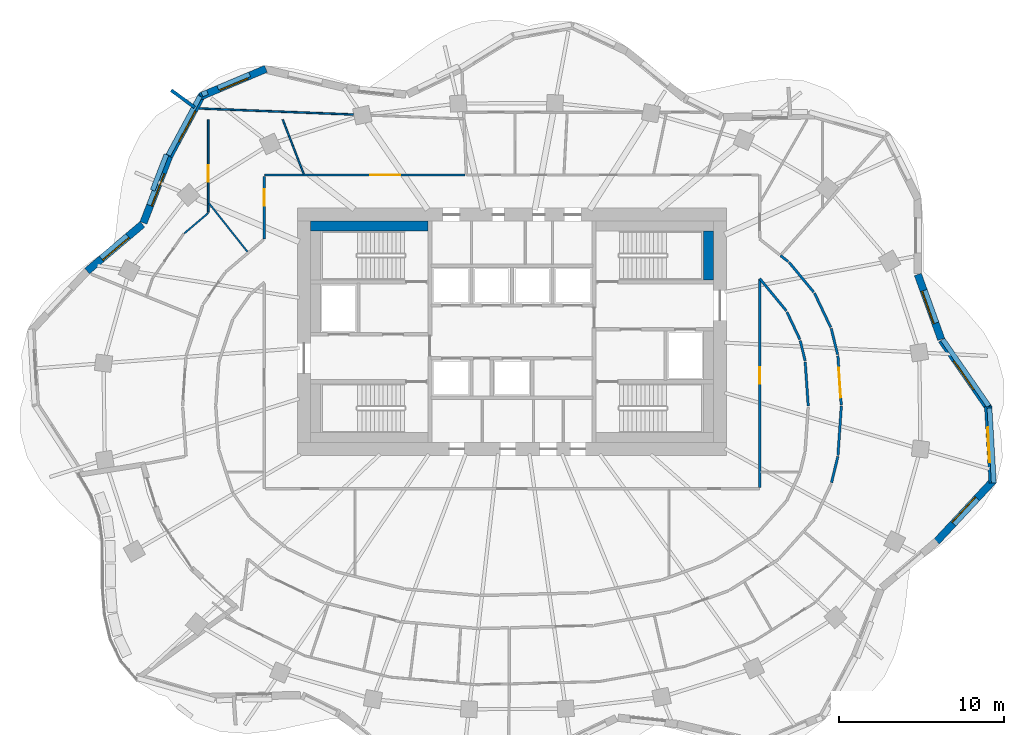
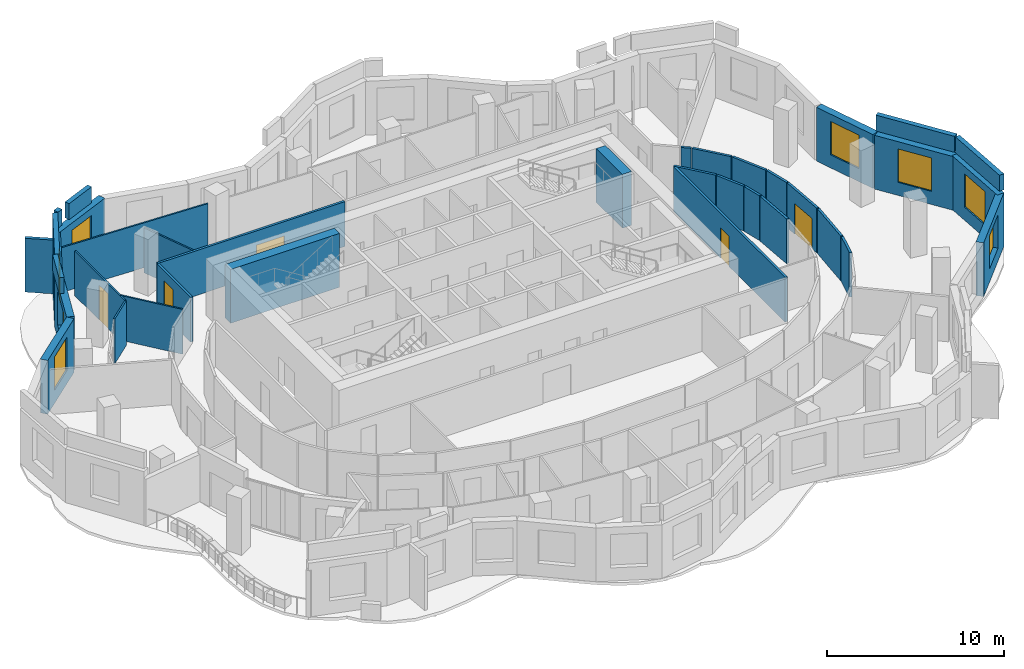
# One storey, part 9 of 13: 36 walls, 8 windows, 5 doors, 13 openings.
"""IFC4 building model written with IfcOpenShell, lengths in metres."""

from ifc_helpers import new_model, si_unit, direction, frame, frame_2d, origin, place, context, subcontext, project, spatial, rectangle, extrude, material, layer, layer_set, type_object, element, fill, save


model = new_model("IFC4")

# Units and contexts
model_context = context("Model", 3, precision=1e-05, world=origin(), true_north=direction((0.0, 1.0)))
body_context = subcontext(model_context, "Body", "Model", "MODEL_VIEW")
ifc_project = project(units=[si_unit("LENGTHUNIT", "METRE"), si_unit("AREAUNIT", "SQUARE_METRE"), si_unit("VOLUMEUNIT", "CUBIC_METRE"), si_unit("PLANEANGLEUNIT", "RADIAN"), si_unit("MASSUNIT", "GRAM", prefix="KILO")], contexts=[model_context])

# Site, building, storey
site_placement = place(None, origin())
site = spatial("IfcSite", under=ifc_project, at=site_placement, CompositionType="ELEMENT")
building_placement = place(site_placement, origin())
building = spatial("IfcBuilding", under=site, at=building_placement, Name="Rubra Terraces Tower", CompositionType="ELEMENT")
storey_placement = place(building_placement, frame((0.0, 0.0, 233.10009765625)))
storey = spatial("IfcBuildingStorey", under=building, at=storey_placement, Name="L57", CompositionType="ELEMENT", Elevation=233.10009765625)

# Wall, opening, window
ifc_material_1 = material(Name="Brick masonry red-brown", Category="masonry")
ifc_layer_1 = layer(ifc_material_1, 0.449951171875)
ifc_layer_set_1 = layer_set([ifc_layer_1], Name="Brick masonry red-brown")
wall_type_1 = type_object("IfcWallType", Name="Brick facade wall 450", PredefinedType="SOLIDWALL", material=ifc_layer_set_1)
wall_1_placement = place(storey_placement, frame((28.87841796875, -0.122802734375, 0.0), z_axis=(0.0, 0.0, 1.0), x_axis=(-0.569394732999, 0.8220642542, 0.0)))
wall_1 = element("IfcWall", 1, at=wall_1_placement, inside=storey, type_object=wall_type_1, Name="Facade wall L57 bay 1", PredefinedType="SOLIDWALL", context=body_context, shape_type="SweptSolid", body=[
    extrude(rectangle(XDim=5.015869140625, YDim=0.449951171875, at=frame_2d((2.5078125, 0.0))), origin(), (0.0, 0.0, 1.0), 3.699951171875),
])
opening_1_placement = place(wall_1_placement, frame((1.4580078125, 0.0, 0.89990234375)))
opening_1 = element("IfcOpeningElement", 2, at=opening_1_placement, cuts=wall_1, Name="Opening W1B", PredefinedType="OPENING", context=body_context, shape_type="SweptSolid", body=[
    extrude(rectangle(XDim=2.10009765625, YDim=2.300048828125, at=frame_2d((1.050048828125, 1.14990234375))), frame((0.0, 0.23486328125, 0.0), z_axis=(0.0, -1.0, 0.0), x_axis=(1.0, 0.0, 0.0)), (0.0, 0.0, 1.0), 0.469970703125),
])
ifc_material_2 = material(Name="Clear glass in aluminium frame", Category="aluminium")
window_type_1 = type_object("IfcWindowType", Name="Fixed deep-set window tall storey 2100 x 2300", PartitioningType="SINGLE_PANEL", PredefinedType="WINDOW", material=ifc_material_2)
window_1_placement = place(opening_1_placement, origin())
window_1 = element("IfcWindow", 3, at=window_1_placement, inside=storey, type_object=window_type_1, Name="Window L57 bay 1", OverallHeight=2.300048828125, OverallWidth=2.10009765625, PartitioningType="SINGLE_PANEL", PredefinedType="WINDOW", context=body_context, shape_type="SweptSolid", body=[
    extrude(rectangle(XDim=2.10009765625, YDim=2.300048828125, at=frame_2d((1.050048828125, 1.14990234375))), frame((0.0, 0.135009765625, 0.0), z_axis=(0.0, -1.0, 0.0), x_axis=(1.0, 0.0, 0.0)), (0.0, 0.0, 1.0), 0.06005859375),
])
fill(opening_1, window_1)

wall_2_placement = place(storey_placement, frame((25.99951171875, 4.047119140625, 0.0), z_axis=(0.0, 0.0, 1.0), x_axis=(-0.338924456066, 0.940813591037, 0.0)))
wall_2 = element("IfcWall", 4, at=wall_2_placement, inside=storey, type_object=wall_type_1, Name="Facade wall L57 bay 2", PredefinedType="SOLIDWALL", context=body_context, shape_type="SweptSolid", body=[
    extrude(rectangle(XDim=4.175048828125, YDim=0.449951171875, at=frame_2d((2.08740234375, 0.0))), origin(), (0.0, 0.0, 1.0), 3.699951171875),
])
opening_2_placement = place(wall_2_placement, frame((1.03759765625, 0.0, 0.89990234375)))
opening_2 = element("IfcOpeningElement", 5, at=opening_2_placement, cuts=wall_2, Name="Opening W1B", PredefinedType="OPENING", context=body_context, shape_type="SweptSolid", body=[
    extrude(rectangle(XDim=2.10009765625, YDim=2.300048828125, at=frame_2d((1.050048828125, 1.14990234375))), frame((0.0, 0.23486328125, 0.0), z_axis=(0.0, -1.0, 0.0), x_axis=(1.0, 0.0, 0.0)), (0.0, 0.0, 1.0), 0.469970703125),
])
window_2_placement = place(opening_2_placement, origin())
window_2 = element("IfcWindow", 6, at=window_2_placement, inside=storey, type_object=window_type_1, Name="Window L57 bay 2", OverallHeight=2.300048828125, OverallWidth=2.10009765625, PartitioningType="SINGLE_PANEL", PredefinedType="WINDOW", context=body_context, shape_type="SweptSolid", body=[
    extrude(rectangle(XDim=2.10009765625, YDim=2.300048828125, at=frame_2d((1.050048828125, 1.14990234375))), frame((0.0, 0.135009765625, 0.0), z_axis=(0.0, -1.0, 0.0), x_axis=(1.0, 0.0, 0.0)), (0.0, 0.0, 1.0), 0.06005859375),
])
fill(opening_2, window_2)

wall_3_placement = place(storey_placement, frame((-14.906494140625, 20.4306640625, 0.0), z_axis=(0.0, 0.0, 1.0), x_axis=(-0.921435803521, -0.388530642279, 0.0)))
wall_3 = element("IfcWall", 7, at=wall_3_placement, inside=storey, type_object=wall_type_1, Name="Facade wall L57 bay 15", PredefinedType="SOLIDWALL", context=body_context, shape_type="SweptSolid", body=[
    extrude(rectangle(XDim=4.308837890625, YDim=0.449951171875, at=frame_2d((2.154296875, 0.0))), origin(), (0.0, 0.0, 1.0), 3.699951171875),
])
opening_3_placement = place(wall_3_placement, frame((1.25439453125, 0.0, 0.89990234375)))
opening_3 = element("IfcOpeningElement", 8, at=opening_3_placement, cuts=wall_3, Name="Opening W6B", PredefinedType="OPENING", context=body_context, shape_type="SweptSolid", body=[
    extrude(rectangle(XDim=1.800048828125, YDim=2.300048828125, at=frame_2d((0.89990234375, 1.14990234375))), frame((0.0, 0.23486328125, 0.0), z_axis=(0.0, -1.0, 0.0), x_axis=(1.0, 0.0, 0.0)), (0.0, 0.0, 1.0), 0.469970703125),
])
window_type_2 = type_object("IfcWindowType", Name="Fixed deep-set window at wind fin tall storey 1800 x 2300", PartitioningType="SINGLE_PANEL", PredefinedType="WINDOW", material=ifc_material_2)
window_3_placement = place(opening_3_placement, origin())
window_3 = element("IfcWindow", 9, at=window_3_placement, inside=storey, type_object=window_type_2, Name="Window L57 bay 15", OverallHeight=2.300048828125, OverallWidth=1.800048828125, PartitioningType="SINGLE_PANEL", PredefinedType="WINDOW", context=body_context, shape_type="SweptSolid", body=[
    extrude(rectangle(XDim=1.800048828125, YDim=2.300048828125, at=frame_2d((0.89990234375, 1.14990234375))), frame((0.0, 0.135009765625, 0.0), z_axis=(0.0, -1.0, 0.0), x_axis=(1.0, 0.0, 0.0)), (0.0, 0.0, 1.0), 0.06005859375),
])
fill(opening_3, window_3)

wall_4_placement = place(storey_placement, frame((-18.767333984375, 18.8544921875, 0.0), z_axis=(0.0, 0.0, 1.0), x_axis=(-0.474475888716, -0.880268499395, 0.0)))
wall_4 = element("IfcWall", 10, at=wall_4_placement, inside=storey, type_object=wall_type_1, Name="Facade wall L57 bay 16", PredefinedType="SOLIDWALL", context=body_context, shape_type="SweptSolid", body=[
    extrude(rectangle(XDim=4.21923828125, YDim=0.449951171875, at=frame_2d((2.109619140625, 0.0))), origin(), (0.0, 0.0, 1.0), 3.699951171875),
])
opening_4_placement = place(wall_4_placement, frame((1.059814453125, 0.0, 0.89990234375)))
opening_4 = element("IfcOpeningElement", 11, at=opening_4_placement, cuts=wall_4, Name="Opening W1B", PredefinedType="OPENING", context=body_context, shape_type="SweptSolid", body=[
    extrude(rectangle(XDim=2.10009765625, YDim=2.300048828125, at=frame_2d((1.050048828125, 1.14990234375))), frame((0.0, 0.23486328125, 0.0), z_axis=(0.0, -1.0, 0.0), x_axis=(1.0, 0.0, 0.0)), (0.0, 0.0, 1.0), 0.469970703125),
])
window_4_placement = place(opening_4_placement, origin())
window_4 = element("IfcWindow", 12, at=window_4_placement, inside=storey, type_object=window_type_1, Name="Window L57 bay 16", OverallHeight=2.300048828125, OverallWidth=2.10009765625, PartitioningType="SINGLE_PANEL", PredefinedType="WINDOW", context=body_context, shape_type="SweptSolid", body=[
    extrude(rectangle(XDim=2.10009765625, YDim=2.300048828125, at=frame_2d((1.050048828125, 1.14990234375))), frame((0.0, 0.135009765625, 0.0), z_axis=(0.0, -1.0, 0.0), x_axis=(1.0, 0.0, 0.0)), (0.0, 0.0, 1.0), 0.06005859375),
])
fill(opening_4, window_4)

wall_5_placement = place(storey_placement, frame((-20.757080078125, 15.166015625, 0.0), z_axis=(0.0, 0.0, 1.0), x_axis=(-0.360067043581, -0.932926430179, 0.0)))
wall_5 = element("IfcWall", 13, at=wall_5_placement, inside=storey, type_object=wall_type_1, Name="Facade wall L57 bay 17", PredefinedType="SOLIDWALL", context=body_context, shape_type="SweptSolid", body=[
    extrude(rectangle(XDim=4.35986328125, YDim=0.449951171875, at=frame_2d((2.179931640625, 0.0))), origin(), (0.0, 0.0, 1.0), 3.699951171875),
])
opening_5_placement = place(wall_5_placement, frame((1.1298828125, 0.0, 0.89990234375)))
opening_5 = element("IfcOpeningElement", 14, at=opening_5_placement, cuts=wall_5, Name="Opening W1B", PredefinedType="OPENING", context=body_context, shape_type="SweptSolid", body=[
    extrude(rectangle(XDim=2.10009765625, YDim=2.300048828125, at=frame_2d((1.050048828125, 1.14990234375))), frame((0.0, 0.23486328125, 0.0), z_axis=(0.0, -1.0, 0.0), x_axis=(1.0, 0.0, 0.0)), (0.0, 0.0, 1.0), 0.469970703125),
])
window_5_placement = place(opening_5_placement, origin())
window_5 = element("IfcWindow", 15, at=window_5_placement, inside=storey, type_object=window_type_1, Name="Window L57 bay 17", OverallHeight=2.300048828125, OverallWidth=2.10009765625, PartitioningType="SINGLE_PANEL", PredefinedType="WINDOW", context=body_context, shape_type="SweptSolid", body=[
    extrude(rectangle(XDim=2.10009765625, YDim=2.300048828125, at=frame_2d((1.050048828125, 1.14990234375))), frame((0.0, 0.135009765625, 0.0), z_axis=(0.0, -1.0, 0.0), x_axis=(1.0, 0.0, 0.0)), (0.0, 0.0, 1.0), 0.06005859375),
])
fill(opening_5, window_5)

wall_6_placement = place(storey_placement, frame((-22.385986328125, 11.014404296875, 0.0), z_axis=(0.0, 0.0, 1.0), x_axis=(-0.763569952162, -0.645725118108, 0.0)))
wall_6 = element("IfcWall", 16, at=wall_6_placement, inside=storey, type_object=wall_type_1, Name="Facade wall L57 bay 18", PredefinedType="SOLIDWALL", context=body_context, shape_type="SweptSolid", body=[
    extrude(rectangle(XDim=4.3857421875, YDim=0.449951171875, at=frame_2d((2.19287109375, 0.0))), origin(), (0.0, 0.0, 1.0), 3.699951171875),
])
opening_6_placement = place(wall_6_placement, frame((1.14306640625, 0.0, 0.89990234375)))
opening_6 = element("IfcOpeningElement", 17, at=opening_6_placement, cuts=wall_6, Name="Opening W1B", PredefinedType="OPENING", context=body_context, shape_type="SweptSolid", body=[
    extrude(rectangle(XDim=2.10009765625, YDim=2.300048828125, at=frame_2d((1.050048828125, 1.14990234375))), frame((0.0, 0.23486328125, 0.0), z_axis=(0.0, -1.0, 0.0), x_axis=(1.0, 0.0, 0.0)), (0.0, 0.0, 1.0), 0.469970703125),
])
window_6_placement = place(opening_6_placement, origin())
window_6 = element("IfcWindow", 18, at=window_6_placement, inside=storey, type_object=window_type_1, Name="Window L57 bay 18", OverallHeight=2.300048828125, OverallWidth=2.10009765625, PartitioningType="SINGLE_PANEL", PredefinedType="WINDOW", context=body_context, shape_type="SweptSolid", body=[
    extrude(rectangle(XDim=2.10009765625, YDim=2.300048828125, at=frame_2d((1.050048828125, 1.14990234375))), frame((0.0, 0.135009765625, 0.0), z_axis=(0.0, -1.0, 0.0), x_axis=(1.0, 0.0, 0.0)), (0.0, 0.0, 1.0), 0.06005859375),
])
fill(opening_6, window_6)

wall_7_placement = place(storey_placement, frame((25.716796875, -8.20068359375, 0.0), z_axis=(0.0, 0.0, 1.0), x_axis=(0.681990073025, 0.731361429319, 0.0)))
wall_7 = element("IfcWall", 19, at=wall_7_placement, inside=storey, type_object=wall_type_1, Name="Facade wall L57 bay 39", PredefinedType="SOLIDWALL", context=body_context, shape_type="SweptSolid", body=[
    extrude(rectangle(XDim=5.063720703125, YDim=0.449951171875, at=frame_2d((2.53173828125, 0.0))), origin(), (0.0, 0.0, 1.0), 3.699951171875),
])
opening_7_placement = place(wall_7_placement, frame((1.481689453125, 0.0, 0.89990234375)))
opening_7 = element("IfcOpeningElement", 20, at=opening_7_placement, cuts=wall_7, Name="Opening W1B", PredefinedType="OPENING", context=body_context, shape_type="SweptSolid", body=[
    extrude(rectangle(XDim=2.10009765625, YDim=2.300048828125, at=frame_2d((1.050048828125, 1.14990234375))), frame((0.0, 0.23486328125, 0.0), z_axis=(0.0, -1.0, 0.0), x_axis=(1.0, 0.0, 0.0)), (0.0, 0.0, 1.0), 0.469970703125),
])
window_7_placement = place(opening_7_placement, origin())
window_7 = element("IfcWindow", 21, at=window_7_placement, inside=storey, type_object=window_type_1, Name="Window L57 bay 39", OverallHeight=2.300048828125, OverallWidth=2.10009765625, PartitioningType="SINGLE_PANEL", PredefinedType="WINDOW", context=body_context, shape_type="SweptSolid", body=[
    extrude(rectangle(XDim=2.10009765625, YDim=2.300048828125, at=frame_2d((1.050048828125, 1.14990234375))), frame((0.0, 0.135009765625, 0.0), z_axis=(0.0, -1.0, 0.0), x_axis=(1.0, 0.0, 0.0)), (0.0, 0.0, 1.0), 0.06005859375),
])
fill(opening_7, window_7)

wall_8_placement = place(storey_placement, frame((29.11328125, -4.66015625, 0.0), z_axis=(0.0, 0.0, 1.0), x_axis=(-0.058217785859, 0.998303906338, 0.0)))
wall_8 = element("IfcWall", 22, at=wall_8_placement, inside=storey, type_object=wall_type_1, Name="Facade wall L57 bay 40", PredefinedType="SOLIDWALL", context=body_context, shape_type="SweptSolid", body=[
    extrude(rectangle(XDim=4.65478515625, YDim=0.449951171875, at=frame_2d((2.327392578125, 0.0))), origin(), (0.0, 0.0, 1.0), 3.699951171875),
])
opening_8_placement = place(wall_8_placement, frame((1.27734375, 0.0, 0.89990234375)))
opening_8 = element("IfcOpeningElement", 23, at=opening_8_placement, cuts=wall_8, Name="Opening W1B", PredefinedType="OPENING", context=body_context, shape_type="SweptSolid", body=[
    extrude(rectangle(XDim=2.10009765625, YDim=2.300048828125, at=frame_2d((1.050048828125, 1.14990234375))), frame((0.0, 0.23486328125, 0.0), z_axis=(0.0, -1.0, 0.0), x_axis=(1.0, 0.0, 0.0)), (0.0, 0.0, 1.0), 0.469970703125),
])
window_8_placement = place(opening_8_placement, origin())
window_8 = element("IfcWindow", 24, at=window_8_placement, inside=storey, type_object=window_type_1, Name="Window L57 bay 40", OverallHeight=2.300048828125, OverallWidth=2.10009765625, PartitioningType="SINGLE_PANEL", PredefinedType="WINDOW", context=body_context, shape_type="SweptSolid", body=[
    extrude(rectangle(XDim=2.10009765625, YDim=2.300048828125, at=frame_2d((1.050048828125, 1.14990234375))), frame((0.0, 0.135009765625, 0.0), z_axis=(0.0, -1.0, 0.0), x_axis=(1.0, 0.0, 0.0)), (0.0, 0.0, 1.0), 0.06005859375),
])
fill(opening_8, window_8)

# Walls
ifc_layer_2 = layer(ifc_material_1, 0.300048828125)
ifc_layer_set_2 = layer_set([ifc_layer_2], Name="Brick masonry red-brown")
wall_type_2 = type_object("IfcWallType", Name="Brick parapet 300", PredefinedType="PARAPET", material=ifc_layer_set_2)
wall_9_placement = place(storey_placement, frame((28.878662109375, 0.008544921875, 3.89990234375), z_axis=(0.0, 0.0, 1.0), x_axis=(-0.569370412902, 0.822081098744, 0.0)))
element("IfcWall", 25, at=wall_9_placement, inside=storey, type_object=wall_type_2, Name="Parapet L57 bay 1", PredefinedType="PARAPET", context=body_context, shape_type="SweptSolid", body=[
    extrude(rectangle(XDim=4.90576171875, YDim=0.300048828125, at=frame_2d((2.452880859375, 0.0))), origin(), (0.0, 0.0, 1.0), 1.10009765625),
])
wall_10_placement = place(storey_placement, frame((-15.890869140625, 20.096923828125, 3.89990234375), z_axis=(0.0, 0.0, 1.0), x_axis=(-0.921468908678, -0.388452121038, 0.0)))
element("IfcWall", 26, at=wall_10_placement, inside=storey, type_object=wall_type_2, Name="Parapet L57 bay 15", PredefinedType="PARAPET", context=body_context, shape_type="SweptSolid", body=[
    extrude(rectangle(XDim=2.09912109375, YDim=0.300048828125, at=frame_2d((1.049560546875, 0.0))), origin(), (0.0, 0.0, 1.0), 1.10009765625),
])
wall_11_placement = place(storey_placement, frame((-18.4462890625, 19.01953125, 3.89990234375), z_axis=(0.0, 0.0, 1.0), x_axis=(-0.921356634102, -0.388718346358, 0.0)))
element("IfcWall", 27, at=wall_11_placement, inside=storey, type_object=wall_type_2, Name="Parapet L57 bay 15.2", PredefinedType="PARAPET", context=body_context, shape_type="SweptSolid", body=[
    extrude(rectangle(XDim=0.363037109375, YDim=0.300048828125, at=frame_2d((0.181640625, 0.0))), origin(), (0.0, 0.0, 1.0), 1.10009765625),
])
wall_12_placement = place(storey_placement, frame((-18.896484375, 18.7734375, 3.89990234375), z_axis=(0.0, 0.0, 1.0), x_axis=(-0.474444905835, -0.880285198857, 0.0)))
element("IfcWall", 28, at=wall_12_placement, inside=storey, type_object=wall_type_2, Name="Parapet L57 bay 16", PredefinedType="PARAPET", context=body_context, shape_type="SweptSolid", body=[
    extrude(rectangle(XDim=4.0498046875, YDim=0.300048828125, at=frame_2d((2.02490234375, 0.0))), origin(), (0.0, 0.0, 1.0), 1.10009765625),
])
wall_13_placement = place(storey_placement, frame((-20.932861328125, 15.236572265625, 3.89990234375), z_axis=(0.0, 0.0, 1.0), x_axis=(-0.360021038217, -0.932944184848, 0.0)))
element("IfcWall", 29, at=wall_13_placement, inside=storey, type_object=wall_type_2, Name="Parapet L57 bay 17", PredefinedType="PARAPET", context=body_context, shape_type="SweptSolid", body=[
    extrude(rectangle(XDim=2.3232421875, YDim=0.300048828125, at=frame_2d((1.16162109375, 0.0))), origin(), (0.0, 0.0, 1.0), 1.10009765625),
])
wall_14_placement = place(storey_placement, frame((29.188232421875, -4.65576171875, 3.89990234375), z_axis=(0.0, 0.0, 1.0), x_axis=(-0.058230319325, 0.998303175349, 0.0)))
element("IfcWall", 30, at=wall_14_placement, inside=storey, type_object=wall_type_2, Name="Parapet L57 bay 40", PredefinedType="PARAPET", context=body_context, shape_type="SweptSolid", body=[
    extrude(rectangle(XDim=4.540771484375, YDim=0.300048828125, at=frame_2d((2.2705078125, 0.0))), origin(), (0.0, 0.0, 1.0), 1.10009765625),
])
ifc_layer_3 = layer(ifc_material_1, 0.199951171875)
ifc_layer_set_3 = layer_set([ifc_layer_3], Name="Brick masonry red-brown")
wall_type_3 = type_object("IfcWallType", Name="Brick wind fin 200", PredefinedType="SOLIDWALL", material=ifc_layer_set_3)
wall_15_placement = place(storey_placement, frame((-19.23095703125, 18.09912109375, 0.0), z_axis=(0.0, 0.0, 1.0), x_axis=(-0.806085538754, 0.591799040394, 0.0)))
element("IfcWall", 31, at=wall_15_placement, inside=storey, type_object=wall_type_3, Name="Wind fin L57 10", PredefinedType="SOLIDWALL", context=body_context, shape_type="SweptSolid", body=[
    extrude(rectangle(XDim=1.75, YDim=0.199951171875, at=frame_2d((0.875, 0.0))), origin(), (0.0, 0.0, 1.0), 3.699951171875),
])
ifc_material_3 = material(Name="Plasterboard on steel stud, mineral wool infill", Category="steel")
ifc_layer_4 = layer(ifc_material_3, 0.14990234375)
ifc_layer_set_4 = layer_set([ifc_layer_4], Name="Plasterboard on steel stud, mineral wool infill")
wall_type_4 = type_object("IfcWallType", Name="CORRIDOR PARTITION 150", PredefinedType="PARTITIONING", material=ifc_layer_set_4)
wall_16_placement = place(storey_placement, frame((19.355224609375, -4.6328125, 0.0), z_axis=(0.0, 0.0, 1.0), x_axis=(0.236703930685, 0.971581828359, 0.0)))
element("IfcWall", 32, at=wall_16_placement, inside=storey, type_object=wall_type_4, Name="PARTITION", PredefinedType="PARTITIONING", context=body_context, shape_type="SweptSolid", body=[
    extrude(rectangle(XDim=1.62646484375, YDim=0.14990234375, at=frame_2d((0.813232421875, 0.0))), origin(), (0.0, 0.0, 1.0), 3.083984375),
])
wall_17_placement = place(storey_placement, frame((19.745361328125, -2.9775390625, 0.0), z_axis=(0.0, 0.0, 1.0), x_axis=(0.068142324, 0.997675610447, 0.0)))
element("IfcWall", 33, at=wall_17_placement, inside=storey, type_object=wall_type_4, Name="PARTITION", PredefinedType="PARTITIONING", context=body_context, shape_type="SweptSolid", body=[
    extrude(rectangle(XDim=2.984375, YDim=0.14990234375, at=frame_2d((1.4921875, 0.0))), origin(), (0.0, 0.0, 1.0), 3.083984375),
])

# Wall, opening, door
wall_18_placement = place(storey_placement, frame((19.943603515625, 0.07470703125, 0.0), z_axis=(0.0, 0.0, 1.0), x_axis=(-0.068136763128, 0.997675990245, 0.0)))
wall_18 = element("IfcWall", 34, at=wall_18_placement, inside=storey, type_object=wall_type_4, Name="PARTITION", PredefinedType="PARTITIONING", context=body_context, shape_type="SweptSolid", body=[
    extrude(rectangle(XDim=2.984619140625, YDim=0.14990234375, at=frame_2d((1.4921875, 0.0))), origin(), (0.0, 0.0, 1.0), 3.083984375),
])
opening_9_placement = place(wall_18_placement, frame((0.449951171875, 0.0, 0.0)))
opening_9 = element("IfcOpeningElement", 35, at=opening_9_placement, cuts=wall_18, Name="Opening 57-111", PredefinedType="OPENING", context=body_context, shape_type="SweptSolid", body=[
    extrude(rectangle(XDim=1.800048828125, YDim=2.10009765625, at=frame_2d((0.89990234375, 1.050048828125))), frame((0.0, 0.0849609375, 0.0), z_axis=(0.0, -1.0, 0.0), x_axis=(1.0, 0.0, 0.0)), (0.0, 0.0, 1.0), 0.169921875),
])
ifc_material_4 = material(Name="Painted timber door leaf, double", Category="wood")
door_type_1 = type_object("IfcDoorType", Name="ROOM DOUBLE DOOR 1800 X 2100", OperationType="DOUBLE_DOOR_SINGLE_SWING", PredefinedType="DOOR", material=ifc_material_4)
door_1_placement = place(opening_9_placement, origin())
door_1 = element("IfcDoor", 36, at=door_1_placement, inside=storey, type_object=door_type_1, Name="DOOR 57-111", OperationType="DOUBLE_DOOR_SINGLE_SWING", OverallHeight=2.10009765625, OverallWidth=1.800048828125, PredefinedType="DOOR", context=body_context, shape_type="SweptSolid", body=[
    extrude(rectangle(XDim=1.800048828125, YDim=2.10009765625, at=frame_2d((0.89990234375, 1.050048828125))), frame((0.0, 0.02490234375, 0.0), z_axis=(0.0, -1.0, 0.0), x_axis=(1.0, 0.0, 0.0)), (0.0, 0.0, 1.0), 0.050048828125),
])
fill(opening_9, door_1)

# Walls
wall_19_placement = place(storey_placement, frame((19.722412109375, 3.125244140625, 0.0), z_axis=(0.0, 0.0, 1.0), x_axis=(-0.236703930685, 0.971581828359, 0.0)))
element("IfcWall", 37, at=wall_19_placement, inside=storey, type_object=wall_type_4, Name="PARTITION", PredefinedType="PARTITIONING", context=body_context, shape_type="SweptSolid", body=[
    extrude(rectangle(XDim=1.62646484375, YDim=0.14990234375, at=frame_2d((0.813232421875, 0.0))), origin(), (0.0, 0.0, 1.0), 3.083984375),
])
wall_20_placement = place(storey_placement, frame((19.305419921875, 4.7734375, 0.0), z_axis=(0.0, 0.0, 1.0), x_axis=(-0.428173054138, 0.903696760927, 0.0)))
element("IfcWall", 38, at=wall_20_placement, inside=storey, type_object=wall_type_4, Name="PARTITION", PredefinedType="PARTITIONING", context=body_context, shape_type="SweptSolid", body=[
    extrude(rectangle(XDim=2.299560546875, YDim=0.14990234375, at=frame_2d((1.14990234375, 0.0))), origin(), (0.0, 0.0, 1.0), 3.083984375),
])
wall_21_placement = place(storey_placement, frame((18.273193359375, 6.9091796875, 0.0), z_axis=(0.0, 0.0, 1.0), x_axis=(-0.63653648943, 0.771246586783, 0.0)))
element("IfcWall", 39, at=wall_21_placement, inside=storey, type_object=wall_type_4, Name="PARTITION", PredefinedType="PARTITIONING", context=body_context, shape_type="SweptSolid", body=[
    extrude(rectangle(XDim=2.341552734375, YDim=0.14990234375, at=frame_2d((1.1708984375, 0.0))), origin(), (0.0, 0.0, 1.0), 3.083984375),
])
wall_22_placement = place(storey_placement, frame((16.723876953125, 8.761474609375, 0.0), z_axis=(0.0, 0.0, 1.0), x_axis=(-0.785117261495, 0.619347144744, 0.0)))
element("IfcWall", 40, at=wall_22_placement, inside=storey, type_object=wall_type_4, Name="PARTITION", PredefinedType="PARTITIONING", context=body_context, shape_type="SweptSolid", body=[
    extrude(rectangle(XDim=0.586181640625, YDim=0.14990234375, at=frame_2d((0.29296875, 0.0))), origin(), (0.0, 0.0, 1.0), 3.083984375),
])

# Wall, opening, door
wall_23_placement = place(storey_placement, frame((-2.836669921875, 14.0, 0.0), z_axis=(0.0, 0.0, 1.0), x_axis=(-1.0, 0.0, 0.0)))
wall_23 = element("IfcWall", 41, at=wall_23_placement, inside=storey, type_object=wall_type_4, Name="PARTITION", PredefinedType="PARTITIONING", context=body_context, shape_type="SweptSolid", body=[
    extrude(rectangle(XDim=12.163330078125, YDim=0.14990234375, at=frame_2d((6.08154296875, 0.0))), origin(), (0.0, 0.0, 1.0), 3.083984375),
])
opening_10_placement = place(wall_23_placement, frame((3.93798828125, 0.0, 0.0)))
opening_10 = element("IfcOpeningElement", 42, at=opening_10_placement, cuts=wall_23, Name="Opening 57-118", PredefinedType="OPENING", context=body_context, shape_type="SweptSolid", body=[
    extrude(rectangle(XDim=1.800048828125, YDim=2.10009765625, at=frame_2d((0.89990234375, 1.050048828125))), frame((0.0, 0.0849609375, 0.0), z_axis=(0.0, -1.0, 0.0), x_axis=(1.0, 0.0, 0.0)), (0.0, 0.0, 1.0), 0.169921875),
])
door_2_placement = place(opening_10_placement, origin())
door_2 = element("IfcDoor", 43, at=door_2_placement, inside=storey, type_object=door_type_1, Name="DOOR 57-118", OperationType="DOUBLE_DOOR_SINGLE_SWING", OverallHeight=2.10009765625, OverallWidth=1.800048828125, PredefinedType="DOOR", context=body_context, shape_type="SweptSolid", body=[
    extrude(rectangle(XDim=1.800048828125, YDim=2.10009765625, at=frame_2d((0.89990234375, 1.050048828125))), frame((0.0, 0.02490234375, 0.0), z_axis=(0.0, -1.0, 0.0), x_axis=(1.0, 0.0, 0.0)), (0.0, 0.0, 1.0), 0.050048828125),
])
fill(opening_10, door_2)

wall_24_placement = place(storey_placement, frame((-15.0, 13.925048828125, 0.0), z_axis=(0.0, 0.0, 1.0), x_axis=(0.0, -1.0, 0.0)))
wall_24 = element("IfcWall", 44, at=wall_24_placement, inside=storey, type_object=wall_type_4, Name="PARTITION", PredefinedType="PARTITIONING", context=body_context, shape_type="SweptSolid", body=[
    extrude(rectangle(XDim=3.803466796875, YDim=0.14990234375, at=frame_2d((1.90185546875, 0.0))), origin(), (0.0, 0.0, 1.0), 3.083984375),
])
opening_11_placement = place(wall_24_placement, frame((0.800048828125, 0.0, 0.0)))
opening_11 = element("IfcOpeningElement", 45, at=opening_11_placement, cuts=wall_24, Name="Opening 57-119", PredefinedType="OPENING", context=body_context, shape_type="SweptSolid", body=[
    extrude(rectangle(XDim=1.0, YDim=2.39990234375, at=frame_2d((0.5, 1.199951171875))), frame((0.0, 0.0849609375, 0.0), z_axis=(0.0, -1.0, 0.0), x_axis=(1.0, 0.0, 0.0)), (0.0, 0.0, 1.0), 0.169921875),
])
ifc_material_5 = material(Name="Glazed aluminium meeting door leaf", Category="aluminium")
door_type_2 = type_object("IfcDoorType", Name="MEETING ROOM GLAZED DOOR 1000 X 2400", OperationType="SINGLE_SWING_LEFT", PredefinedType="DOOR", material=ifc_material_5)
door_3_placement = place(opening_11_placement, origin())
door_3 = element("IfcDoor", 46, at=door_3_placement, inside=storey, type_object=door_type_2, Name="DOOR 57-119", OperationType="SINGLE_SWING_RIGHT", OverallHeight=2.39990234375, OverallWidth=1.0, PredefinedType="DOOR", context=body_context, shape_type="SweptSolid", body=[
    extrude(rectangle(XDim=1.0, YDim=2.39990234375, at=frame_2d((0.5, 1.199951171875))), frame((0.0, 0.02490234375, 0.0), z_axis=(0.0, -1.0, 0.0), x_axis=(1.0, 0.0, 0.0)), (0.0, 0.0, 1.0), 0.050048828125),
])
fill(opening_11, door_3)

# Walls
wall_25_placement = place(storey_placement, frame((15.0, 7.73291015625, 0.0), z_axis=(0.0, 0.0, 1.0), x_axis=(0.636601263488, -0.771193121938, 0.0)))
element("IfcWall", 47, at=wall_25_placement, inside=storey, type_object=wall_type_4, Name="PARTITION", PredefinedType="PARTITIONING", context=body_context, shape_type="SweptSolid", body=[
    extrude(rectangle(XDim=2.544921875, YDim=0.14990234375, at=frame_2d((1.2724609375, 0.0))), origin(), (0.0, 0.0, 1.0), 3.083984375),
])
wall_26_placement = place(storey_placement, frame((16.652099609375, 5.702392578125, 0.0), z_axis=(0.0, 0.0, 1.0), x_axis=(0.428126129773, -0.903718992279, 0.0)))
element("IfcWall", 48, at=wall_26_placement, inside=storey, type_object=wall_type_4, Name="PARTITION", PredefinedType="PARTITIONING", context=body_context, shape_type="SweptSolid", body=[
    extrude(rectangle(XDim=1.846435546875, YDim=0.14990234375, at=frame_2d((0.92333984375, 0.0))), origin(), (0.0, 0.0, 1.0), 3.083984375),
])
wall_27_placement = place(storey_placement, frame((17.46044921875, 3.9609375, 0.0), z_axis=(0.0, 0.0, 1.0), x_axis=(0.236655249498, -0.971593687137, 0.0)))
element("IfcWall", 49, at=wall_27_placement, inside=storey, type_object=wall_type_4, Name="PARTITION", PredefinedType="PARTITIONING", context=body_context, shape_type="SweptSolid", body=[
    extrude(rectangle(XDim=1.25146484375, YDim=0.14990234375, at=frame_2d((0.625732421875, 0.0))), origin(), (0.0, 0.0, 1.0), 3.083984375),
])
wall_28_placement = place(storey_placement, frame((17.76171875, 2.67041015625, 0.0), z_axis=(0.0, 0.0, 1.0), x_axis=(0.068135311644, -0.997676089373, 0.0)))
element("IfcWall", 50, at=wall_28_placement, inside=storey, type_object=wall_type_4, Name="PARTITION", PredefinedType="PARTITIONING", context=body_context, shape_type="SweptSolid", body=[
    extrude(rectangle(XDim=2.676513671875, YDim=0.14990234375, at=frame_2d((1.33837890625, 0.0))), origin(), (0.0, 0.0, 1.0), 3.083984375),
])

# Wall, opening, door
wall_29_placement = place(storey_placement, frame((15.0, -4.925048828125, 0.0), z_axis=(0.0, 0.0, 1.0), x_axis=(0.0, 1.0, 0.0)))
wall_29 = element("IfcWall", 51, at=wall_29_placement, inside=storey, type_object=wall_type_4, Name="PARTITION", PredefinedType="PARTITIONING", context=body_context, shape_type="SweptSolid", body=[
    extrude(rectangle(XDim=12.5830078125, YDim=0.14990234375, at=frame_2d((6.29150390625, 0.0))), origin(), (0.0, 0.0, 1.0), 3.083984375),
])
opening_12_placement = place(wall_29_placement, frame((6.291015625, 0.0, 0.0)))
opening_12 = element("IfcOpeningElement", 52, at=opening_12_placement, cuts=wall_29, Name="Opening 57-125", PredefinedType="OPENING", context=body_context, shape_type="SweptSolid", body=[
    extrude(rectangle(XDim=1.0, YDim=2.10009765625, at=frame_2d((0.5, 1.050048828125))), frame((0.0, 0.0849609375, 0.0), z_axis=(0.0, -1.0, 0.0), x_axis=(1.0, 0.0, 0.0)), (0.0, 0.0, 1.0), 0.169921875),
])
ifc_material_6 = material(Name="Painted timber door leaf", Category="wood")
door_type_3 = type_object("IfcDoorType", Name="ROOM DOOR 1000 X 2100", OperationType="SINGLE_SWING_LEFT", PredefinedType="DOOR", material=ifc_material_6)
door_4_placement = place(opening_12_placement, origin())
door_4 = element("IfcDoor", 53, at=door_4_placement, inside=storey, type_object=door_type_3, Name="DOOR 57-125", OperationType="SINGLE_SWING_RIGHT", OverallHeight=2.10009765625, OverallWidth=1.0, PredefinedType="DOOR", context=body_context, shape_type="SweptSolid", body=[
    extrude(rectangle(XDim=1.0, YDim=2.10009765625, at=frame_2d((0.5, 1.050048828125))), frame((0.0, 0.02490234375, 0.0), z_axis=(0.0, -1.0, 0.0), x_axis=(1.0, 0.0, 0.0)), (0.0, 0.0, 1.0), 0.050048828125),
])
fill(opening_12, door_4)

# Walls
ifc_material_7 = material(Name="Concrete C40", Category="concrete")
ifc_layer_5 = layer(ifc_material_7, 0.60009765625)
ifc_layer_set_5 = layer_set([ifc_layer_5], Name="Concrete C40")
wall_type_5 = type_object("IfcWallType", Name="Core lining wall 600 concrete", PredefinedType="SOLIDWALL", material=ifc_layer_set_5)
wall_30_placement = place(storey_placement, frame((-12.199951171875, 10.89990234375, 0.0), z_axis=(0.0, 0.0, 1.0), x_axis=(1.0, 0.0, 0.0)))
element("IfcWall", 54, at=wall_30_placement, inside=storey, type_object=wall_type_5, Name="CORE LINING WALL L57", PredefinedType="SOLIDWALL", context=body_context, shape_type="SweptSolid", body=[
    extrude(rectangle(XDim=7.099853515625, YDim=0.60009765625, at=frame_2d((3.5498046875, 0.0))), origin(), (0.0, 0.0, 1.0), 3.699951171875),
])
wall_31_placement = place(storey_placement, frame((11.89990234375, 10.60009765625, 0.0), z_axis=(0.0, 0.0, 1.0), x_axis=(0.0, -1.0, 0.0)))
element("IfcWall", 55, at=wall_31_placement, inside=storey, type_object=wall_type_5, Name="CORE LINING WALL L57", PredefinedType="SOLIDWALL", context=body_context, shape_type="SweptSolid", body=[
    extrude(rectangle(XDim=2.9501953125, YDim=0.60009765625, at=frame_2d((1.47509765625, 0.0))), origin(), (0.0, 0.0, 1.0), 3.699951171875),
])
ifc_material_8 = material(Name="Plasterboard on steel stud", Category="steel")
ifc_layer_6 = layer(ifc_material_8, 0.10009765625)
ifc_layer_set_6 = layer_set([ifc_layer_6], Name="Plasterboard on steel stud")
wall_type_6 = type_object("IfcWallType", Name="ROOM PARTITION 100", PredefinedType="PARTITIONING", material=ifc_layer_set_6)
wall_32_placement = place(storey_placement, frame((-18.94580078125, 18.031005859375, 0.0), z_axis=(0.0, 0.0, 1.0), x_axis=(0.999224475149, -0.039375731905, 0.0)))
element("IfcWall", 56, at=wall_32_placement, inside=storey, type_object=wall_type_6, Name="PARTITION", PredefinedType="PARTITIONING", context=body_context, shape_type="SweptSolid", body=[
    extrude(rectangle(XDim=9.35009765625, YDim=0.10009765625, at=frame_2d((4.675048828125, 0.0))), origin(), (0.0, 0.0, 1.0), 3.083984375),
])
wall_33_placement = place(storey_placement, frame((-19.852783203125, 10.462158203125, 0.0), z_axis=(0.0, 0.0, 1.0), x_axis=(0.762403788971, 0.647101585968, 0.0)))
element("IfcWall", 57, at=wall_33_placement, inside=storey, type_object=wall_type_6, Name="PARTITION", PredefinedType="PARTITIONING", context=body_context, shape_type="SweptSolid", body=[
    extrude(rectangle(XDim=1.90576171875, YDim=0.10009765625, at=frame_2d((0.952880859375, 0.0))), origin(), (0.0, 0.0, 1.0), 3.083984375),
])

# Wall, opening, door
wall_34_placement = place(storey_placement, frame((-18.39990234375, 11.7451171875, 0.0), z_axis=(0.0, 0.0, 1.0), x_axis=(0.0, 1.0, 0.0)))
wall_34 = element("IfcWall", 58, at=wall_34_placement, inside=storey, type_object=wall_type_6, Name="PARTITION", PredefinedType="PARTITIONING", context=body_context, shape_type="SweptSolid", body=[
    extrude(rectangle(XDim=5.60498046875, YDim=0.10009765625, at=frame_2d((2.802490234375, 0.0))), origin(), (0.0, 0.0, 1.0), 3.083984375),
])
opening_13_placement = place(wall_34_placement, frame((1.85009765625, 0.0, 0.0)))
opening_13 = element("IfcOpeningElement", 59, at=opening_13_placement, cuts=wall_34, Name="Opening 57-131", PredefinedType="OPENING", context=body_context, shape_type="SweptSolid", body=[
    extrude(rectangle(XDim=1.0, YDim=2.39990234375, at=frame_2d((0.5, 1.199951171875))), frame((0.0, 0.06005859375, 0.0), z_axis=(0.0, -1.0, 0.0), x_axis=(1.0, 0.0, 0.0)), (0.0, 0.0, 1.0), 0.1201171875),
])
door_5_placement = place(opening_13_placement, origin())
door_5 = element("IfcDoor", 60, at=door_5_placement, inside=storey, type_object=door_type_2, Name="DOOR 57-131", OperationType="SINGLE_SWING_LEFT", OverallHeight=2.39990234375, OverallWidth=1.0, PredefinedType="DOOR", context=body_context, shape_type="SweptSolid", body=[
    extrude(rectangle(XDim=1.0, YDim=2.39990234375, at=frame_2d((0.5, 1.199951171875))), frame((0.0, 0.02490234375, 0.0), z_axis=(0.0, -1.0, 0.0), x_axis=(1.0, 0.0, 0.0)), (0.0, 0.0, 1.0), 0.050048828125),
])
fill(opening_13, door_5)

# Walls
wall_35_placement = place(storey_placement, frame((-12.615478515625, 14.06982421875, 0.0), z_axis=(0.0, 0.0, 1.0), x_axis=(-0.361750417315, 0.932274978519, 0.0)))
element("IfcWall", 61, at=wall_35_placement, inside=storey, type_object=wall_type_6, Name="PARTITION", PredefinedType="PARTITIONING", context=body_context, shape_type="SweptSolid", body=[
    extrude(rectangle(XDim=3.522216796875, YDim=0.10009765625, at=frame_2d((1.76123046875, 0.0))), origin(), (0.0, 0.0, 1.0), 3.083984375),
])
wall_36_placement = place(storey_placement, frame((-16.02490234375, 9.35009765625, 0.0), z_axis=(0.0, 0.0, 1.0), x_axis=(-0.62135087232, 0.783532445702, 0.0)))
element("IfcWall", 62, at=wall_36_placement, inside=storey, type_object=wall_type_6, Name="PARTITION", PredefinedType="PARTITIONING", context=body_context, shape_type="SweptSolid", body=[
    extrude(rectangle(XDim=3.7724609375, YDim=0.10009765625, at=frame_2d((1.88623046875, 0.0))), origin(), (0.0, 0.0, 1.0), 3.083984375),
])

save(model, "model.ifc")
